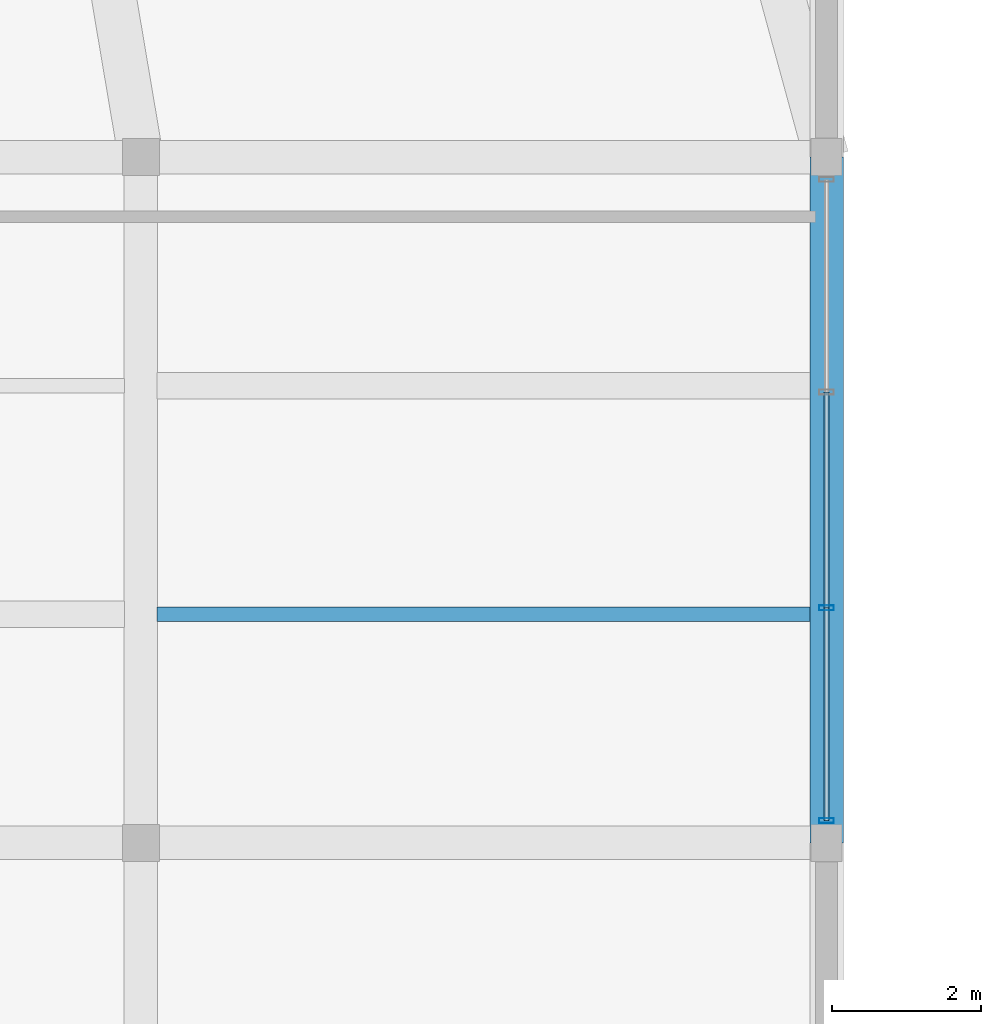
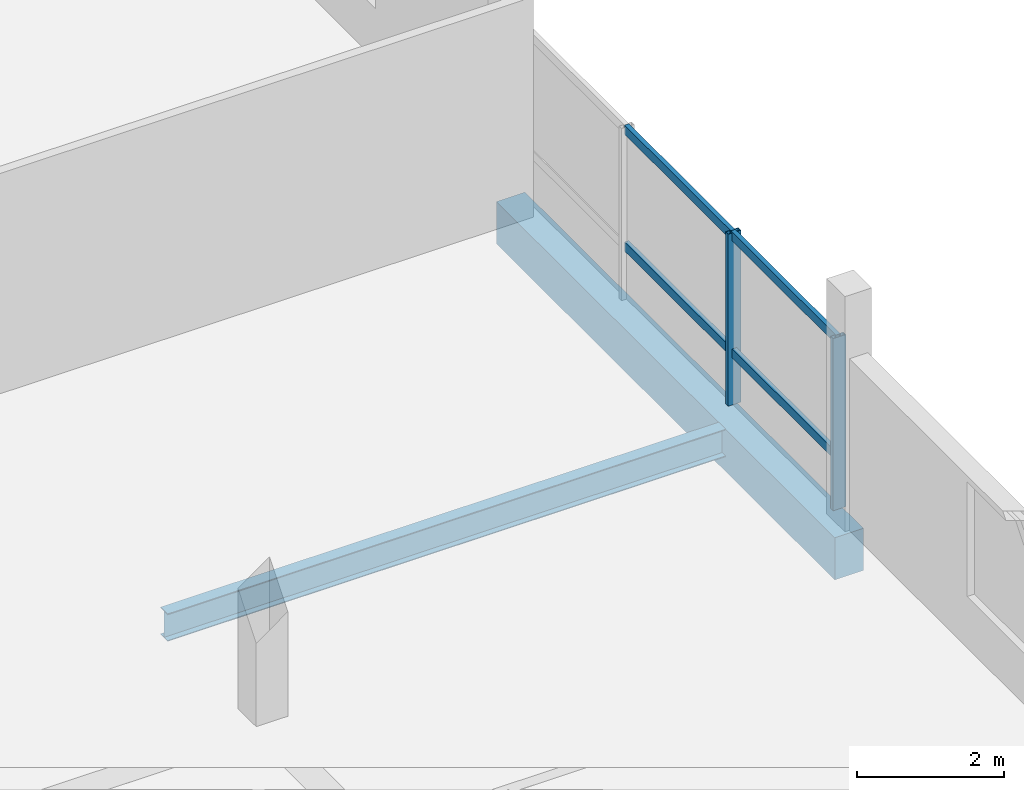
# One storey, part 16 of 62: 6 members, 2 beams, 1 element without a shape of its own.
"""IFC4 building model written with IfcOpenShell, lengths in metres."""

from ifc_helpers import new_model, si_unit, direction, frame, origin, origin_2d, place, context, subcontext, project, spatial, rectangle, hollow_rectangle, i_section, extrude, material, layer, layer_set, material_profile, profile_set, type_object, element, aggregate, save


model = new_model("IFC4")

# Units and contexts
model_context = context("Model", 3, precision=1e-05, world=origin(), true_north=direction((0.0, 1.0)))
body_context = subcontext(model_context, "Body", "Model", "MODEL_VIEW")
ifc_project = project(units=[si_unit("LENGTHUNIT", "METRE"), si_unit("AREAUNIT", "SQUARE_METRE"), si_unit("VOLUMEUNIT", "CUBIC_METRE"), si_unit("PLANEANGLEUNIT", "RADIAN"), si_unit("MASSUNIT", "GRAM", prefix="KILO")], contexts=[model_context])

# Site, building, storey
site_placement = place(None, origin())
site = spatial("IfcSite", under=ifc_project, at=site_placement, CompositionType="ELEMENT")
building_placement = place(site_placement, origin())
building = spatial("IfcBuilding", under=site, at=building_placement, Name="Meriwether Solvik Hall", CompositionType="ELEMENT")
storey_placement = place(building_placement, frame((0.0, 0.0, 14.39990234375)))
storey = spatial("IfcBuildingStorey", under=building, at=storey_placement, Name="L03", CompositionType="ELEMENT", Elevation=14.39990234375)

# Beams
ifc_material_1 = material(Name="Concrete C40/50", Category="concrete")
ifc_material_profile_1 = material_profile(ifc_material_1, rectangle(XDim=0.449951171875, YDim=0.699951171875, at=origin_2d()), Name="RCB-450X700")
ifc_profile_set_1 = profile_set([ifc_material_profile_1], Name="Concrete C40/50")
beam_type_1 = type_object("IfcBeamType", Name="BM-RC-450X700", PredefinedType="BEAM", material=ifc_profile_set_1)
beam_1_placement = place(storey_placement, frame((114.199951171875, 32.0, -0.594970703125), z_axis=(0.0, 1.0, 0.0), x_axis=(-1.0, 0.0, 0.0)))
element("IfcBeam", 1, at=beam_1_placement, inside=storey, type_object=beam_type_1, Name="Podium Girder 13:D-E (L03)", PredefinedType="BEAM", context=body_context, shape_type="SweptSolid", body=[
    extrude(rectangle(XDim=0.449951171875, YDim=0.699951171875, at=origin_2d()), origin(), (0.0, 0.0, 1.0), 9.199951171875),
])
ifc_material_2 = material(Name="Steel A992 Grade 50", Category="steel")
ifc_material_profile_2 = material_profile(ifc_material_2, i_section(OverallWidth=0.19091796875, OverallDepth=0.45703125, WebThickness=0.009033203125, FlangeThickness=0.014404296875, at=origin_2d()), Name="W18X50")
ifc_profile_set_2 = profile_set([ifc_material_profile_2], Name="Steel A992 Grade 50")
beam_type_2 = type_object("IfcBeamType", Name="BM-STL-W18X50", PredefinedType="JOIST", material=ifc_profile_set_2)
beam_2_placement = place(storey_placement, frame((105.219970703125, 35.066650390625, -0.473388671875), z_axis=(1.0, 0.0, 0.0), x_axis=(0.0, 1.0, 0.0)))
element("IfcBeam", 2, at=beam_2_placement, inside=storey, type_object=beam_type_2, Name="Secondary Floor Joist 12/D_J1 (L03)", PredefinedType="JOIST", context=body_context, shape_type="SweptSolid", body=[
    extrude(i_section(OverallWidth=0.19091796875, OverallDepth=0.45703125, WebThickness=0.009033203125, FlangeThickness=0.014404296875, at=origin_2d()), origin(), (0.0, 0.0, 1.0), 8.760009765625),
])

# Curtain wall, members
ifc_material_3 = material(Name="Thermally Broken Anodised Aluminium 6063-T6 and Low-E Glass", Category="aluminium")
ifc_layer = layer(ifc_material_3, 0.179931640625)
ifc_layer_set = layer_set([ifc_layer], Name="Thermally Broken Anodised Aluminium 6063-T6 and Low-E Glass")
curtain_wall_type = type_object("IfcCurtainWallType", Name="CW-UNIT-E", PredefinedType="USERDEFINED", material=ifc_layer_set)
curtain_wall_placement = place(storey_placement, origin())
curtain_wall = element("IfcCurtainWall", 3, at=curtain_wall_placement, inside=storey, type_object=curtain_wall_type, Name="Curtain Wall wing_Y13_4_37 (L03)", ObjectType="UNITISED CURTAIN WALL", PredefinedType="USERDEFINED")
ifc_material_4 = material(Name="Anodised Aluminium 6063-T6", Category="aluminium")
ifc_material_profile_3 = material_profile(ifc_material_4, hollow_rectangle(XDim=0.070068359375, YDim=0.199951171875, WallThickness=0.0048828125, at=origin_2d()), Name="CWM-70X200")
ifc_profile_set_3 = profile_set([ifc_material_profile_3], Name="Anodised Aluminium 6063-T6")
member_type_1 = type_object("IfcMemberType", Name="CW-MUL-70X200", PredefinedType="MULLION", material=ifc_profile_set_3)
member_1_placement = place(storey_placement, frame((114.199951171875, 35.153076171875, 0.0), z_axis=(0.0, 0.0, 1.0), x_axis=(0.0, -1.0, 0.0)))
member_1 = element("IfcMember", 4, at=member_1_placement, type_object=member_type_1, Name="Curtain Wall Mullion 3", PredefinedType="MULLION", context=body_context, shape_type="SweptSolid", body=[
    extrude(hollow_rectangle(XDim=0.070068359375, YDim=0.199951171875, WallThickness=0.0048828125, at=origin_2d()), origin(), (0.0, 0.0, 1.0), 2.85498046875),
])
member_2_placement = place(storey_placement, frame((114.199951171875, 32.297607421875, 0.0), z_axis=(0.0, 0.0, 1.0), x_axis=(0.0, -1.0, 0.0)))
member_2 = element("IfcMember", 5, at=member_2_placement, type_object=member_type_1, Name="Curtain Wall Mullion 4", PredefinedType="MULLION", context=body_context, shape_type="SweptSolid", body=[
    extrude(hollow_rectangle(XDim=0.070068359375, YDim=0.199951171875, WallThickness=0.0048828125, at=origin_2d()), origin(), (0.0, 0.0, 1.0), 2.85498046875),
])
ifc_material_5 = material(Name="Anodised Aluminium 6063-T6", Category="aluminium")
ifc_material_profile_4 = material_profile(ifc_material_5, hollow_rectangle(XDim=0.070068359375, YDim=0.14990234375, WallThickness=0.0048828125, at=origin_2d()), Name="CWT-70X150")
ifc_profile_set_4 = profile_set([ifc_material_profile_4], Name="Anodised Aluminium 6063-T6")
member_type_2 = type_object("IfcMemberType", Name="CW-TRN-70X150", PredefinedType="USERDEFINED", material=ifc_profile_set_4)
member_3_placement = place(storey_placement, frame((114.199951171875, 38.046875, 0.856689453125), z_axis=(0.0, -1.0, 0.0), x_axis=(1.0, 0.0, 0.0)))
member_3 = element("IfcMember", 6, at=member_3_placement, type_object=member_type_2, Name="Curtain Wall Transom 2-sill", ObjectType="TRANSOM", PredefinedType="USERDEFINED", context=body_context, shape_type="SweptSolid", body=[
    extrude(hollow_rectangle(XDim=0.070068359375, YDim=0.14990234375, WallThickness=0.0048828125, at=origin_2d()), origin(), (0.0, 0.0, 1.0), 2.893798828125),
])
member_4_placement = place(storey_placement, frame((114.199951171875, 38.046875, 2.795166015625), z_axis=(0.0, -1.0, 0.0), x_axis=(1.0, 0.0, 0.0)))
member_4 = element("IfcMember", 7, at=member_4_placement, type_object=member_type_2, Name="Curtain Wall Transom 2-head", ObjectType="TRANSOM", PredefinedType="USERDEFINED", context=body_context, shape_type="SweptSolid", body=[
    extrude(hollow_rectangle(XDim=0.070068359375, YDim=0.14990234375, WallThickness=0.0048828125, at=origin_2d()), origin(), (0.0, 0.0, 1.0), 2.893798828125),
])
member_5_placement = place(storey_placement, frame((114.199951171875, 35.153076171875, 0.856689453125), z_axis=(0.0, -1.0, 0.0), x_axis=(1.0, 0.0, 0.0)))
member_5 = element("IfcMember", 8, at=member_5_placement, type_object=member_type_2, Name="Curtain Wall Transom 3-sill", ObjectType="TRANSOM", PredefinedType="USERDEFINED", context=body_context, shape_type="SweptSolid", body=[
    extrude(hollow_rectangle(XDim=0.070068359375, YDim=0.14990234375, WallThickness=0.0048828125, at=origin_2d()), origin(), (0.0, 0.0, 1.0), 2.85546875),
])
member_6_placement = place(storey_placement, frame((114.199951171875, 35.153076171875, 2.795166015625), z_axis=(0.0, -1.0, 0.0), x_axis=(1.0, 0.0, 0.0)))
member_6 = element("IfcMember", 9, at=member_6_placement, type_object=member_type_2, Name="Curtain Wall Transom 3-head", ObjectType="TRANSOM", PredefinedType="USERDEFINED", context=body_context, shape_type="SweptSolid", body=[
    extrude(hollow_rectangle(XDim=0.070068359375, YDim=0.14990234375, WallThickness=0.0048828125, at=origin_2d()), origin(), (0.0, 0.0, 1.0), 2.85546875),
])
aggregate(curtain_wall, [member_1, member_2, member_3, member_4, member_5, member_6])

save(model, "model.ifc")
